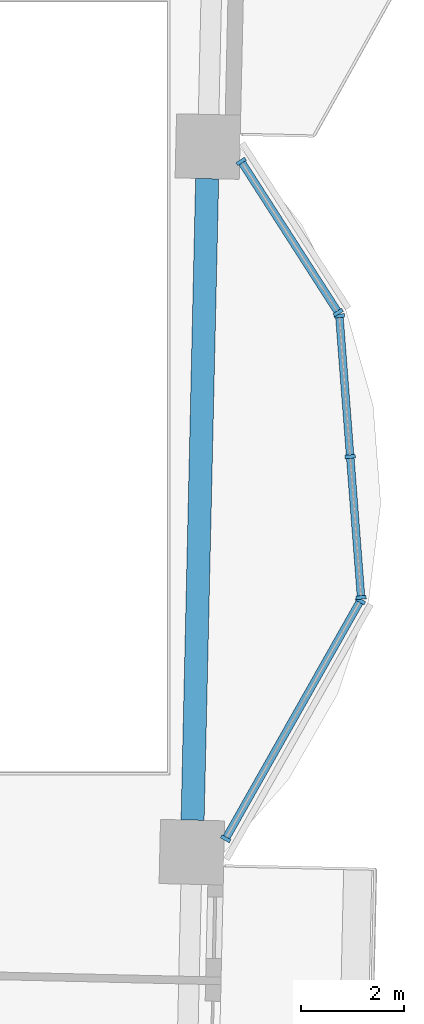
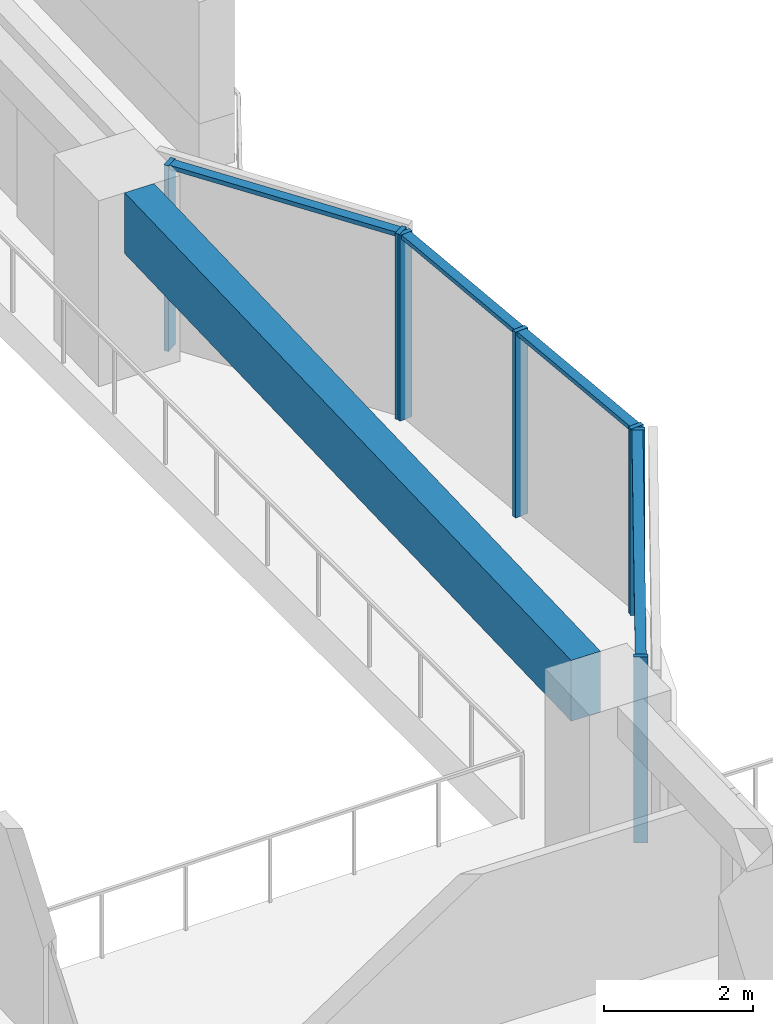
# One storey, part 2 of 14: 11 members, 1 beam, 3 elements without a shape of their own.
"""IFC4 building model written with IfcOpenShell, lengths in metres."""

from ifc_helpers import new_model, si_unit, direction, frame, origin, origin_2d, place, context, subcontext, project, spatial, rectangle, extrude, material, material_profile, profile_set, type_object, element, aggregate, save


model = new_model("IFC4")

# Units and contexts
model_context = context("Model", 3, precision=1e-05, world=origin(), true_north=direction((0.0, 1.0)))
body_context = subcontext(model_context, "Body", "Model", "MODEL_VIEW")
ifc_project = project(units=[si_unit("LENGTHUNIT", "METRE"), si_unit("AREAUNIT", "SQUARE_METRE"), si_unit("VOLUMEUNIT", "CUBIC_METRE"), si_unit("PLANEANGLEUNIT", "RADIAN"), si_unit("MASSUNIT", "GRAM", prefix="KILO")], contexts=[model_context])

# Site, building, storey
site_placement = place(None, origin())
site = spatial("IfcSite", under=ifc_project, at=site_placement, CompositionType="ELEMENT")
building_placement = place(site_placement, origin())
building = spatial("IfcBuilding", under=site, at=building_placement, Name="Mangrove Gate Tower", CompositionType="ELEMENT")
storey_placement = place(building_placement, frame((0.0, 0.0, 163.5)))
storey = spatial("IfcBuildingStorey", under=building, at=storey_placement, Name="L41", CompositionType="ELEMENT", Elevation=163.5)

# Curtain wall, members
ifc_material_1 = material(Name="Aluminium and glass curtain wall", Category="aluminium")
curtain_wall_type = type_object("IfcCurtainWallType", Name="Atrium garden-court glazing wall", PredefinedType="NOTDEFINED", material=ifc_material_1)
curtain_wall_1_placement = place(storey_placement, origin())
curtain_wall_1 = element("IfcCurtainWall", 1, at=curtain_wall_1_placement, inside=storey, type_object=curtain_wall_type, Name="Atrium garden-court glazing E1f1", PredefinedType="NOTDEFINED")
ifc_material_2 = material(Name="Aluminium alloy 6063-T6", Category="aluminium")
ifc_material_profile_1 = material_profile(ifc_material_2, rectangle(XDim=0.070068359375, YDim=0.199951171875, at=origin_2d()))
ifc_profile_set_1 = profile_set([ifc_material_profile_1], Name="Aluminium alloy 6063-T6")
member_type_1 = type_object("IfcMemberType", Name="Atrium garden-court glazing mullion 70x200", PredefinedType="MULLION", material=ifc_profile_set_1)
member_1_placement = place(storey_placement, frame((26.11083984375, -8.806884765625, 0.0), z_axis=(0.0, 0.0, 1.0), x_axis=(0.492564461279, 0.870275962833, 0.0)))
member_1 = element("IfcMember", 2, at=member_1_placement, type_object=member_type_1, Name="CWA mullion 1", PredefinedType="MULLION", context=body_context, shape_type="SweptSolid", body=[
    extrude(rectangle(XDim=0.070068359375, YDim=0.199951171875, at=origin_2d()), origin(), (0.0, 0.0, 1.0), 3.050048828125),
])
member_2_placement = place(storey_placement, frame((28.73486328125, -4.17041015625, 0.0), z_axis=(0.0, 0.0, 1.0), x_axis=(0.492564461279, 0.870275962833, 0.0)))
member_2 = element("IfcMember", 3, at=member_2_placement, type_object=member_type_1, Name="CWA mullion 2", PredefinedType="MULLION", context=body_context, shape_type="SweptSolid", body=[
    extrude(rectangle(XDim=0.070068359375, YDim=0.199951171875, at=origin_2d()), origin(), (0.0, 0.0, 1.0), 3.050048828125),
])

curtain_wall_2_placement = place(storey_placement, origin())
curtain_wall_2 = element("IfcCurtainWall", 4, at=curtain_wall_2_placement, inside=storey, type_object=curtain_wall_type, Name="Atrium garden-court glazing E1f2", PredefinedType="NOTDEFINED")
member_3_placement = place(storey_placement, frame((28.74951171875, -4.105224609375, 0.0), z_axis=(0.0, 0.0, 1.0), x_axis=(-0.077023348403, 0.997029289339, 0.0)))
member_3 = element("IfcMember", 5, at=member_3_placement, type_object=member_type_1, Name="CWA mullion 1", PredefinedType="MULLION", context=body_context, shape_type="SweptSolid", body=[
    extrude(rectangle(XDim=0.070068359375, YDim=0.199951171875, at=origin_2d()), origin(), (0.0, 0.0, 1.0), 3.050048828125),
])
member_4_placement = place(storey_placement, frame((28.53759765625, -1.361572265625, 0.0), z_axis=(0.0, 0.0, 1.0), x_axis=(-0.077023348403, 0.997029289339, 0.0)))
member_4 = element("IfcMember", 6, at=member_4_placement, type_object=member_type_1, Name="CWA mullion 2", PredefinedType="MULLION", context=body_context, shape_type="SweptSolid", body=[
    extrude(rectangle(XDim=0.070068359375, YDim=0.199951171875, at=origin_2d()), origin(), (0.0, 0.0, 1.0), 3.050048828125),
])
member_5_placement = place(storey_placement, frame((28.32568359375, 1.382080078125, 0.0), z_axis=(0.0, 0.0, 1.0), x_axis=(-0.077023348403, 0.997029289339, 0.0)))
member_5 = element("IfcMember", 7, at=member_5_placement, type_object=member_type_1, Name="CWA mullion 3", PredefinedType="MULLION", context=body_context, shape_type="SweptSolid", body=[
    extrude(rectangle(XDim=0.070068359375, YDim=0.199951171875, at=origin_2d()), origin(), (0.0, 0.0, 1.0), 3.050048828125),
])

curtain_wall_3_placement = place(storey_placement, origin())
curtain_wall_3 = element("IfcCurtainWall", 8, at=curtain_wall_3_placement, inside=storey, type_object=curtain_wall_type, Name="Atrium garden-court glazing E1f3", PredefinedType="NOTDEFINED")
member_6_placement = place(storey_placement, frame((28.303955078125, 1.4462890625, 0.0), z_axis=(0.0, 0.0, 1.0), x_axis=(-0.540496322894, 0.841346376315, 0.0)))
member_6 = element("IfcMember", 9, at=member_6_placement, type_object=member_type_1, Name="CWA mullion 1", PredefinedType="MULLION", context=body_context, shape_type="SweptSolid", body=[
    extrude(rectangle(XDim=0.070068359375, YDim=0.199951171875, at=origin_2d()), origin(), (0.0, 0.0, 1.0), 3.050048828125),
])
member_7_placement = place(storey_placement, frame((26.413330078125, 4.389404296875, 0.0), z_axis=(0.0, 0.0, 1.0), x_axis=(-0.540496322894, 0.841346376315, 0.0)))
member_7 = element("IfcMember", 10, at=member_7_placement, type_object=member_type_1, Name="CWA mullion 2", PredefinedType="MULLION", context=body_context, shape_type="SweptSolid", body=[
    extrude(rectangle(XDim=0.070068359375, YDim=0.199951171875, at=origin_2d()), origin(), (0.0, 0.0, 1.0), 3.050048828125),
])

# Member
ifc_material_3 = material(Name="Aluminium alloy 6063-T6", Category="aluminium")
ifc_material_profile_2 = material_profile(ifc_material_3, rectangle(XDim=0.070068359375, YDim=0.14990234375, at=origin_2d()))
ifc_profile_set_2 = profile_set([ifc_material_profile_2], Name="Aluminium alloy 6063-T6")
member_type_2 = type_object("IfcMemberType", Name="Atrium garden-court glazing transom 70x150", PredefinedType="USERDEFINED", material=ifc_profile_set_2)
member_8_placement = place(storey_placement, frame((26.128173828125, -8.7763671875, 3.014892578125), z_axis=(0.4925590689, 0.870279014825, 0.0), x_axis=(0.0, 0.0, 1.0)))
member_8 = element("IfcMember", 11, at=member_8_placement, type_object=member_type_2, Name="CWA transom 1.2", ObjectType="TRANSOM", PredefinedType="USERDEFINED", context=body_context, shape_type="SweptSolid", body=[
    extrude(rectangle(XDim=0.070068359375, YDim=0.14990234375, at=origin_2d()), origin(), (0.0, 0.0, 1.0), 5.25732421875),
])

aggregate(curtain_wall_1, [member_1, member_2, member_8])

member_9_placement = place(storey_placement, frame((28.746826171875, -4.0703125, 3.014892578125), z_axis=(-0.07701672858, 0.997029800718, 0.0), x_axis=(0.0, 0.0, 1.0)))
member_9 = element("IfcMember", 12, at=member_9_placement, type_object=member_type_2, Name="CWA transom 1.2", ObjectType="TRANSOM", PredefinedType="USERDEFINED", context=body_context, shape_type="SweptSolid", body=[
    extrude(rectangle(XDim=0.070068359375, YDim=0.14990234375, at=origin_2d()), origin(), (0.0, 0.0, 1.0), 2.681884765625),
])

member_10_placement = place(storey_placement, frame((28.534912109375, -1.32666015625, 3.014892578125), z_axis=(-0.07701672858, 0.997029800718, 0.0), x_axis=(0.0, 0.0, 1.0)))
member_10 = element("IfcMember", 13, at=member_10_placement, type_object=member_type_2, Name="CWA transom 2.2", ObjectType="TRANSOM", PredefinedType="USERDEFINED", context=body_context, shape_type="SweptSolid", body=[
    extrude(rectangle(XDim=0.070068359375, YDim=0.14990234375, at=origin_2d()), origin(), (0.0, 0.0, 1.0), 2.681884765625),
])

aggregate(curtain_wall_2, [member_3, member_4, member_5, member_9, member_10])

member_11_placement = place(storey_placement, frame((28.28515625, 1.475830078125, 3.014892578125), z_axis=(-0.540501990771, 0.84134273514, 0.0), x_axis=(0.0, 0.0, 1.0)))
member_11 = element("IfcMember", 14, at=member_11_placement, type_object=member_type_2, Name="CWA transom 1.2", ObjectType="TRANSOM", PredefinedType="USERDEFINED", context=body_context, shape_type="SweptSolid", body=[
    extrude(rectangle(XDim=0.070068359375, YDim=0.14990234375, at=origin_2d()), origin(), (0.0, 0.0, 1.0), 3.427978515625),
])

aggregate(curtain_wall_3, [member_6, member_7, member_11])

# Beam
ifc_material_4 = material(Name="Concrete C50/60", Category="concrete")
ifc_material_profile_3 = material_profile(ifc_material_4, rectangle(XDim=0.449951171875, YDim=1.0, at=origin_2d()))
ifc_profile_set_3 = profile_set([ifc_material_profile_3], Name="Concrete C50/60")
beam_type = type_object("IfcBeamType", Name="Edge beam RC 450x1000 C50/60", PredefinedType="BEAM", material=ifc_profile_set_3)
beam_placement = place(storey_placement, frame((25.46728515625, -8.44384765625, 2.550048828125), z_axis=(0.022693013796, 0.999742480404, 0.0), x_axis=(-0.999742480404, 0.022693013796, 0.0)))
element("IfcBeam", 15, at=beam_placement, inside=storey, type_object=beam_type, Name="Edge beam L41 14", PredefinedType="BEAM", context=body_context, shape_type="SweptSolid", body=[
    extrude(rectangle(XDim=0.449951171875, YDim=1.0, at=origin_2d()), origin(), (0.0, 0.0, 1.0), 12.501220703125),
])

save(model, "model.ifc")
